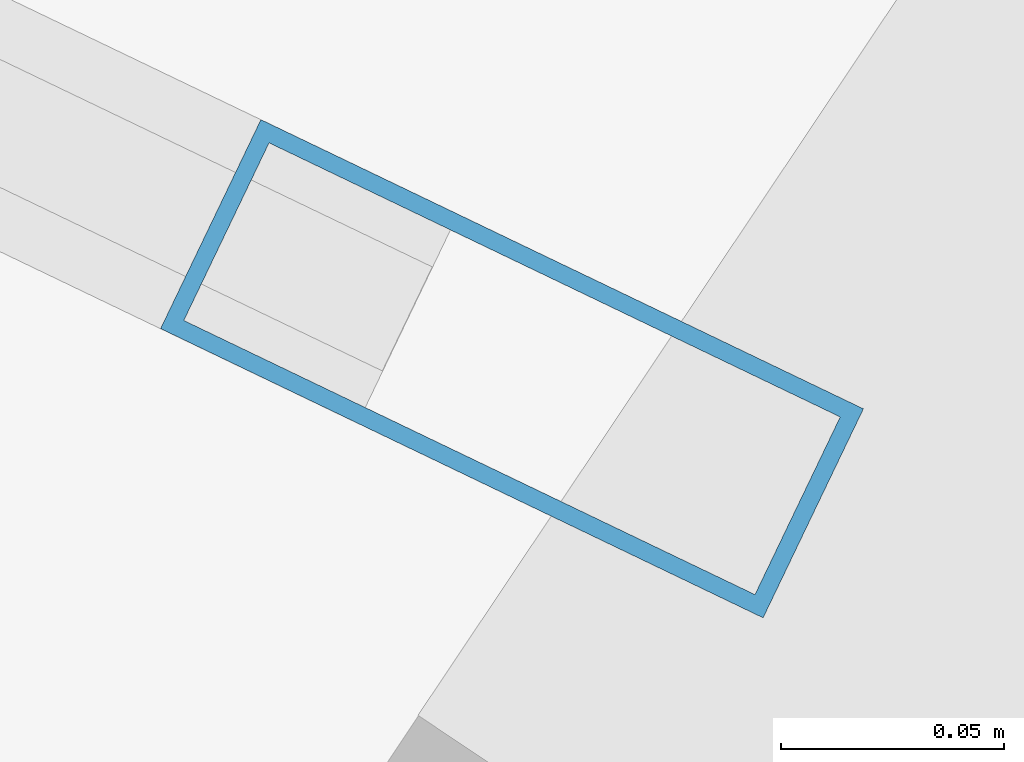
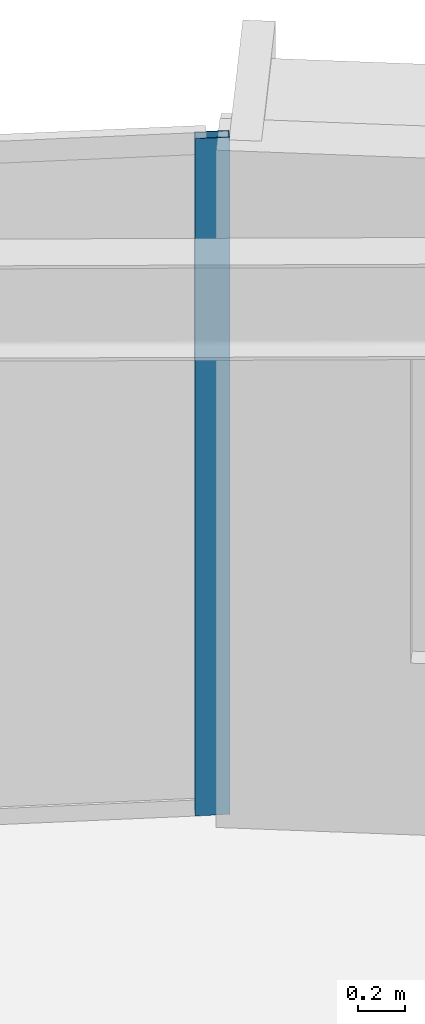
# One storey, part 5 of 17: 1 member, 1 element without a shape of its own.
"""IFC4 building model written with IfcOpenShell, lengths in metres."""

from ifc_helpers import new_model, si_unit, direction, frame, origin, origin_2d, place, context, subcontext, project, spatial, hollow_rectangle, extrude, source, transform, mapped, material, layer, layer_set, material_profile, profile_set, type_object, element, aggregate, save


model = new_model("IFC4")

# Units and contexts
model_context = context("Model", 3, precision=1e-05, world=origin(), true_north=direction((0.0, 1.0)))
body_context = subcontext(model_context, "Body", "Model", "MODEL_VIEW")
ifc_project = project(units=[si_unit("LENGTHUNIT", "METRE"), si_unit("AREAUNIT", "SQUARE_METRE"), si_unit("VOLUMEUNIT", "CUBIC_METRE"), si_unit("PLANEANGLEUNIT", "RADIAN"), si_unit("MASSUNIT", "GRAM", prefix="KILO")], contexts=[model_context])

# Site, building, storey
site_placement = place(None, origin())
site = spatial("IfcSite", under=ifc_project, at=site_placement, CompositionType="ELEMENT")
building_placement = place(site_placement, origin())
building = spatial("IfcBuilding", under=site, at=building_placement, Name="Linh Dai School and Residence Tower", CompositionType="ELEMENT")
storey_placement = place(building_placement, frame((0.0, 0.0, 324.0)))
storey = spatial("IfcBuildingStorey", under=building, at=storey_placement, Name="L80", CompositionType="ELEMENT", Elevation=324.0)

# Curtain wall, member
ifc_material_1 = material(Name="Aluminium Anodised Curtain Wall", Category="aluminium")
ifc_layer = layer(ifc_material_1, 0.14990234375)
ifc_layer_set = layer_set([ifc_layer], Name="Aluminium Anodised Curtain Wall")
curtain_wall_type = type_object("IfcCurtainWallType", Name="CW-SYS-4", PredefinedType="USERDEFINED", material=ifc_layer_set)
curtain_wall_placement = place(storey_placement, origin())
curtain_wall = element("IfcCurtainWall", 1, at=curtain_wall_placement, inside=storey, type_object=curtain_wall_type, Name="L80 CW4 Curtain Wall 07", ObjectType="RIBBON CURTAIN WALL", PredefinedType="USERDEFINED")
ifc_material_2 = material(Name="Aluminium Alloy 6063-T6", Category="aluminium")
ifc_material_profile = material_profile(ifc_material_2, hollow_rectangle(XDim=0.052001953125, YDim=0.14990234375, WallThickness=0.00390625, at=origin_2d()), Name="RHS 150x52x4")
ifc_profile_set = profile_set([ifc_material_profile], Name="Aluminium Alloy 6063-T6")
member_type = type_object("IfcMemberType", Name="CW-SYS-4-MUL", PredefinedType="MULLION", material=ifc_profile_set)
shared_shape = source(origin(), body_context, "Body", "SweptSolid", [
    extrude(hollow_rectangle(XDim=0.052001953125, YDim=0.14990234375, WallThickness=0.00390625, at=origin_2d()), origin(), (0.0, 0.0, 1.0), 3.550048828125),
])
member_placement = place(storey_placement, frame((47.96435546875, 39.891357421875, 0.0), z_axis=(0.0, 0.0, 1.0), x_axis=(0.432673572418, 0.901550652892, 0.0)))
member = element("IfcMember", 2, at=member_placement, type_object=member_type, Name="CW4 mullion 3", PredefinedType="MULLION", context=body_context, shape_type="MappedRepresentation", body=[
    mapped(shared_shape, transform((0.0, 0.0, 0.0), x_axis=(1.0, 0.0, 0.0), y_axis=(0.0, 1.0, 0.0), z_axis=(0.0, 0.0, 1.0), scale=1.0)),
])
aggregate(curtain_wall, [member])

save(model, "model.ifc")
